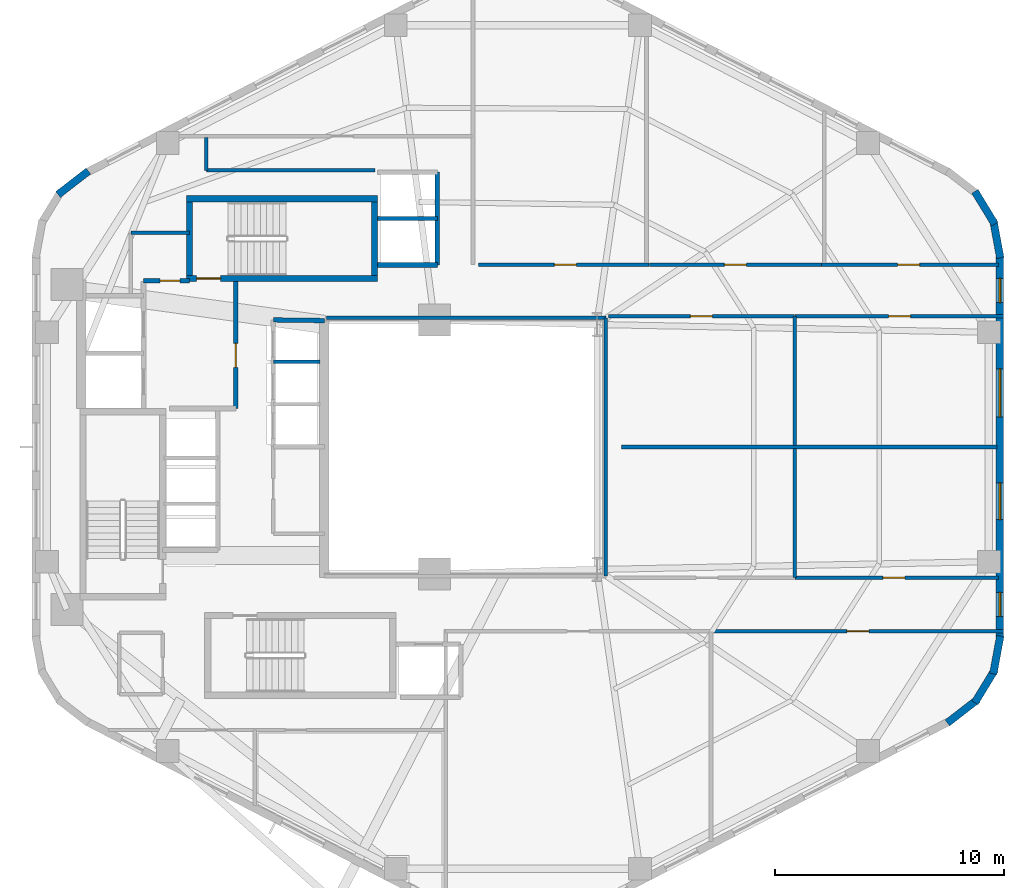
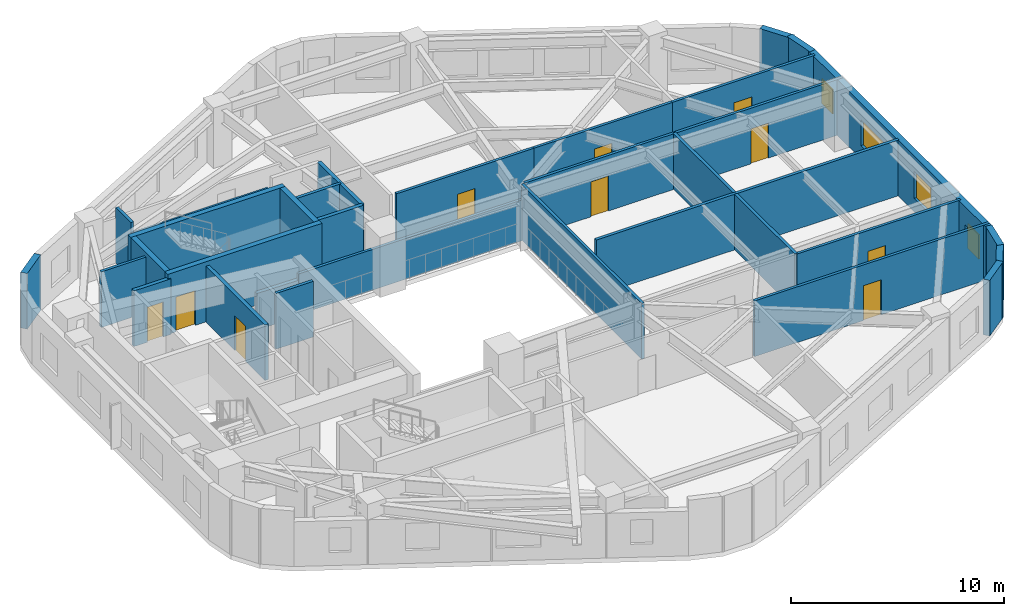
# One storey, part 4 of 6: 33 walls, 10 doors, 4 windows, 14 openings.
"""IFC4 building model written with IfcOpenShell, lengths in metres."""

import ifcopenshell
import ifcopenshell.guid

model = None  # the IFC model being written
_history = None  # IfcOwnerHistory: only IFC2X3 demands one
_inside = {}  # id of a spatial element -> (the spatial element, [elements in it])
_under = {}  # id of a project, library or spatial element -> (it, [spatial elements below it])
_declared = {}  # id of a project -> (the project, [libraries it declares])
_typed = {}  # id of a type object -> (the type object, [elements of that type])
_made_of = {}  # id of a material, layer set ... -> (it, [elements and type objects made of it])


def new_model(schema):
    """Start an empty IFC model of exactly this schema.

    Asked for "IFC4X3", IfcOpenShell would pick the latest addendum, in which some entities
    have other attributes; the version numbers below select the first issue.
    IFC2X3 requires an IfcOwnerHistory on every rooted entity: one is made here for all.
    """
    global model, _history
    if schema == "IFC4X3":
        model = ifcopenshell.file(schema_version=(4, 3, 0, 0))
    else:
        model = ifcopenshell.file(schema=schema)
    _inside.clear()
    _under.clear()
    _declared.clear()
    _typed.clear()
    _made_of.clear()
    _history = None
    if model.schema == "IFC2X3":
        org = make("IfcOrganization", Name="unknown")
        user = make(
            "IfcPersonAndOrganization",
            ThePerson=make("IfcPerson", FamilyName="unknown"),
            TheOrganization=org,
        )
        app = make(
            "IfcApplication",
            ApplicationDeveloper=org,
            Version="unknown",
            ApplicationFullName="unknown",
            ApplicationIdentifier="unknown",
        )
        _history = make(
            "IfcOwnerHistory",
            OwningUser=user,
            OwningApplication=app,
            ChangeAction="ADDED",
            CreationDate=0,
        )
    return model


def make(cls, **values):
    """One entity of the class cls with the attributes given. An attribute that is None is left unset."""
    return model.create_entity(
        cls, **{name: value for name, value in values.items() if value is not None}
    )


def rooted(cls, **values):
    """An entity with a GlobalId (a new one), such as an element, a storey or a relation."""
    return make(cls, GlobalId=ifcopenshell.guid.new(), OwnerHistory=_history, **values)


def si_unit(unit_type, name, prefix=None):
    """IfcSIUnit, for example si_unit("LENGTHUNIT", "METRE", prefix="MILLI")."""
    return make("IfcSIUnit", UnitType=unit_type, Prefix=prefix, Name=name)


def assignment(units):
    """IfcUnitAssignment: the units of a project."""
    return None if units is None else make("IfcUnitAssignment", Units=units)


def point(xyz):
    """IfcCartesianPoint."""
    return None if xyz is None else make("IfcCartesianPoint", Coordinates=xyz)


def direction(xyz):
    """IfcDirection."""
    return None if xyz is None else make("IfcDirection", DirectionRatios=xyz)


def frame(location, z_axis=None, x_axis=None):
    """IfcAxis2Placement3D, a coordinate frame: its origin and axes. An axis left out is left unset."""
    return make(
        "IfcAxis2Placement3D",
        Location=point(location),
        Axis=direction(z_axis),
        RefDirection=direction(x_axis),
    )


def frame_2d(location, x_axis=None):
    """IfcAxis2Placement2D, a coordinate frame in the plane: its origin and x axis."""
    return make(
        "IfcAxis2Placement2D", Location=point(location), RefDirection=direction(x_axis)
    )


def origin():
    """The frame at (0, 0, 0) with its axes left unset."""
    return frame((0.0, 0.0, 0.0))


def place(relative_to, where):
    """IfcLocalPlacement: puts the frame where relative to a parent placement (None: the world)."""
    return make(
        "IfcLocalPlacement", PlacementRelTo=relative_to, RelativePlacement=where
    )


def context(
    kind, dimensions, precision=None, world=None, true_north=None, identifier=None
):
    """IfcGeometricRepresentationContext, for example the 3D "Model" context."""
    return make(
        "IfcGeometricRepresentationContext",
        ContextIdentifier=identifier,
        ContextType=kind,
        CoordinateSpaceDimension=dimensions,
        Precision=precision,
        WorldCoordinateSystem=world,
        TrueNorth=true_north,
    )


def subcontext(parent, identifier, kind, view, scale=None):
    """IfcGeometricRepresentationSubContext, for example "Body" below "Model"."""
    return make(
        "IfcGeometricRepresentationSubContext",
        ContextIdentifier=identifier,
        ContextType=kind,
        ParentContext=parent,
        TargetScale=scale,
        TargetView=view,
    )


def project(units=None, contexts=None):
    """IfcProject with its units and contexts."""
    return rooted(
        "IfcProject",
        Name="project",
        RepresentationContexts=contexts,
        UnitsInContext=assignment(units),
    )


def spatial(cls, under=None, at=None, **own):
    """A site, building, storey or space (cls), placed at a placement, below another one or the project."""
    s = rooted(cls, ObjectPlacement=at, **own)
    if under is not None:
        _under.setdefault(under.id(), (under, []))[1].append(s)
    return s


def profile(cls, at=None, kind="AREA", **sizes):
    """A parametric profile (cls). Its sizes go by their IFC names, for example OverallWidth=200.0."""
    return make(cls, ProfileType=kind, Position=at, **sizes)


def rectangle(**sizes):
    """IfcRectangleProfileDef."""
    return profile("IfcRectangleProfileDef", **sizes)


def extrude(swept, where, along, depth):
    """IfcExtrudedAreaSolid: the profile swept, set in the frame where, extruded along a direction by depth."""
    return make(
        "IfcExtrudedAreaSolid",
        SweptArea=swept,
        Position=where,
        ExtrudedDirection=direction(along),
        Depth=depth,
    )


def shape(context_of_items, identifier, shape_type, items):
    """IfcShapeRepresentation: the items that make up one representation, for example the "Body"."""
    return make(
        "IfcShapeRepresentation",
        ContextOfItems=context_of_items,
        RepresentationIdentifier=identifier,
        RepresentationType=shape_type,
        Items=items,
    )


def material(Name=None, Category=None):
    """IfcMaterial."""
    return make("IfcMaterial", Name=Name, Category=Category)


def layer(
    of_material, thickness, ventilated=None, Name=None, Category=None, Priority=None
):
    """IfcMaterialLayer: one layer of a wall or slab, of a material (None: an air gap)."""
    return make(
        "IfcMaterialLayer",
        Material=of_material,
        LayerThickness=thickness,
        IsVentilated=ventilated,
        Name=Name,
        Category=Category,
        Priority=Priority,
    )


def layer_set(layers, Name=None):
    """IfcMaterialLayerSet."""
    return make("IfcMaterialLayerSet", MaterialLayers=layers, LayerSetName=Name)


def made_of(thing, what):
    """Note that an element or type object is made of a material, layer set ...; save() writes the relation."""
    if what is not None:
        _made_of.setdefault(what.id(), (what, []))[1].append(thing)
    return thing


def type_object(cls, material=None, **own):
    """A type object (cls), such as IfcWallType, which elements share."""
    return made_of(rooted(cls, **own), material)


def element(
    cls,
    number,
    at=None,
    inside=None,
    cuts=None,
    type_object=None,
    material=None,
    context=None,
    identifier="Body",
    shape_type=None,
    held_by="IfcProductDefinitionShape",
    body=None,
    shapes=None,
    **own,
):
    """One element of the class cls, such as IfcWall. Its Tag is "e" and its number.

    at: its placement. inside: the storey or other place that contains it. cuts: it is an
    opening in that element (IfcRelVoidsElement). A single representation is given by context,
    identifier, shape_type and body (its items); several are given by shapes. held_by: the class
    of the entity that holds the representations. save() writes the other relations.
    """
    e = rooted(cls, Tag="e%d" % number, ObjectPlacement=at, **own)
    if body is not None:
        shapes = [shape(context, identifier, shape_type, body)]
    if shapes is not None:
        e.Representation = make(held_by, Representations=shapes)
    if inside is not None:
        _inside.setdefault(inside.id(), (inside, []))[1].append(e)
    if cuts is not None:
        rooted(
            "IfcRelVoidsElement", RelatingBuildingElement=cuts, RelatedOpeningElement=e
        )
    if type_object is not None:
        _typed.setdefault(type_object.id(), (type_object, []))[1].append(e)
    return made_of(e, material)


def fill(opening, filler):
    """IfcRelFillsElement: the door or window that sits in an opening."""
    return rooted(
        "IfcRelFillsElement",
        RelatingOpeningElement=opening,
        RelatedBuildingElement=filler,
    )


def aggregate(whole, parts):
    """IfcRelAggregates: a whole, such as a stair, and the parts it consists of."""
    return rooted("IfcRelAggregates", RelatingObject=whole, RelatedObjects=parts)


def save(model, path):
    """Write the relations noted so far, then the file.

    IfcRelAggregates (storeys below a building ...), IfcRelContainedInSpatialStructure (elements
    in a storey), IfcRelDefinesByType, IfcRelAssociatesMaterial and IfcRelDeclares: one each for
    every whole, place, type object, material and project.
    """
    for whole, parts in _under.values():
        aggregate(whole, parts)
    for where, things in _inside.values():
        rooted(
            "IfcRelContainedInSpatialStructure",
            RelatedElements=things,
            RelatingStructure=where,
        )
    for kind, things in _typed.values():
        rooted("IfcRelDefinesByType", RelatedObjects=things, RelatingType=kind)
    for what, things in _made_of.values():
        rooted("IfcRelAssociatesMaterial", RelatedObjects=things, RelatingMaterial=what)
    for by, libraries in _declared.values():
        rooted("IfcRelDeclares", RelatingContext=by, RelatedDefinitions=libraries)
    model.write(path)


model = new_model("IFC4")

# Units and contexts
model_context = context("Model", 3, precision=1e-05, world=origin(), true_north=direction((0.0, 1.0)))
body_context = subcontext(model_context, "Body", "Model", "MODEL_VIEW")
ifc_project = project(units=[si_unit("LENGTHUNIT", "METRE"), si_unit("AREAUNIT", "SQUARE_METRE"), si_unit("VOLUMEUNIT", "CUBIC_METRE"), si_unit("PLANEANGLEUNIT", "RADIAN"), si_unit("MASSUNIT", "GRAM", prefix="KILO"), si_unit("THERMODYNAMICTEMPERATUREUNIT", "KELVIN"), si_unit("POWERUNIT", "WATT")], contexts=[model_context])

# Site, building, storey
site_placement = place(None, origin())
site = spatial("IfcSite", under=ifc_project, at=site_placement, CompositionType="ELEMENT")
building_placement = place(site_placement, origin())
building = spatial("IfcBuilding", under=site, at=building_placement, Name="Skarre Station Tower", CompositionType="ELEMENT")
storey_placement = place(building_placement, frame((0.0, 0.0, 156.75)))
storey = spatial("IfcBuildingStorey", under=building, at=storey_placement, Name="L42", CompositionType="ELEMENT", Elevation=156.75)

# Walls
ifc_material_1 = material(Name="Acoustic Steel-Stud Gypsum Partition", Category="steel")
ifc_layer_1 = layer(ifc_material_1, 0.14990234375, Name="Acoustic Steel-Stud Gypsum Partition")
ifc_layer_set_1 = layer_set([ifc_layer_1], Name="Acoustic Steel-Stud Gypsum Partition")
wall_type_1 = type_object("IfcWallType", Name="Fire-Rated Corridor Acoustic Partition 150", PredefinedType="PARTITIONING", material=ifc_layer_set_1)
wall_1_placement = place(storey_placement, frame((21.659912109375, 33.35009765625, 0.0), z_axis=(0.0, 0.0, 1.0), x_axis=(-1.0, 0.0, 0.0)))
element("IfcWall", 1, at=wall_1_placement, inside=storey, type_object=wall_type_1, Name="L42 Interior Partition WL-PT-L42-CNW-N1", PredefinedType="PARTITIONING", context=body_context, shape_type="SweptSolid", body=[
    extrude(rectangle(XDim=2.559814453125, YDim=0.14990234375, at=frame_2d((1.27978515625, 0.0))), origin(), (0.0, 0.0, 1.0), 3.18994140625),
])
wall_2_placement = place(storey_placement, frame((39.840087890625, 29.639892578125, 0.0), z_axis=(0.0, 0.0, 1.0), x_axis=(-1.0, 0.0, 0.0)))
element("IfcWall", 2, at=wall_2_placement, inside=storey, type_object=wall_type_1, Name="L42 Interior Partition WL-PT-L42-ATRW-N", PredefinedType="PARTITIONING", context=body_context, shape_type="SweptSolid", body=[
    extrude(rectangle(XDim=12.2001953125, YDim=0.14990234375, at=frame_2d((6.10009765625, 0.0))), origin(), (0.0, 0.0, 1.0), 2.3310546875),
])
wall_3_placement = place(storey_placement, frame((39.840087890625, 18.360107421875, 0.0), z_axis=(0.0, 0.0, 1.0), x_axis=(0.0, 1.0, 0.0)))
element("IfcWall", 3, at=wall_3_placement, inside=storey, type_object=wall_type_1, Name="L42 Interior Partition WL-PT-L42-ATRW-E", PredefinedType="PARTITIONING", context=body_context, shape_type="SweptSolid", body=[
    extrude(rectangle(XDim=11.27978515625, YDim=0.14990234375, at=frame_2d((5.639892578125, 0.0))), origin(), (0.0, 0.0, 1.0), 3.18994140625),
])

# Wall, opening, door
wall_4_placement = place(storey_placement, frame((41.737060546875, 31.9599609375, 0.0), z_axis=(0.0, 0.0, 1.0), x_axis=(-1.0, 0.0, 0.0)))
wall_4 = element("IfcWall", 4, at=wall_4_placement, inside=storey, type_object=wall_type_1, Name="L42 Interior Partition WL-PT-L42-NW1-CW", PredefinedType="PARTITIONING", context=body_context, shape_type="SweptSolid", body=[
    extrude(rectangle(XDim=7.447021484375, YDim=0.14990234375, at=frame_2d((3.7236328125, 0.0))), origin(), (0.0, 0.0, 1.0), 3.18994140625),
])
opening_1_placement = place(wall_4_placement, frame((3.18701171875, 0.0, 0.0)))
opening_1 = element("IfcOpeningElement", 5, at=opening_1_placement, cuts=wall_4, Name="Opening DR-FD60", PredefinedType="OPENING", context=body_context, shape_type="SweptSolid", body=[
    extrude(rectangle(XDim=0.9599609375, YDim=2.0, at=frame_2d((0.47998046875, 1.0))), frame((0.0, 0.0849609375, 0.0), z_axis=(0.0, -1.0, 0.0), x_axis=(1.0, 0.0, 0.0)), (0.0, 0.0, 1.0), 0.169921875),
])
ifc_material_2 = material(Name="Nordic White-Oak Veneer Solid-Core Fire Leaf", Category="wood")
door_type_1 = type_object("IfcDoorType", Name="Corridor Suite Entry Fire Door FD60 960x2150", OperationType="SINGLE_SWING_LEFT", PredefinedType="DOOR", material=ifc_material_2)
door_1_placement = place(opening_1_placement, origin())
door_1 = element("IfcDoor", 6, at=door_1_placement, inside=storey, type_object=door_type_1, Name="L42 NW1 Entry Door", OperationType="SINGLE_SWING_LEFT", OverallHeight=2.0, OverallWidth=0.9599609375, PredefinedType="DOOR", context=body_context, shape_type="SweptSolid", body=[
    extrude(rectangle(XDim=0.9599609375, YDim=2.0, at=frame_2d((0.47998046875, 1.0))), frame((0.0, 0.02490234375, 0.0), z_axis=(0.0, -1.0, 0.0), x_axis=(1.0, 0.0, 0.0)), (0.0, 0.0, 1.0), 0.050048828125),
])
fill(opening_1, door_1)

wall_5_placement = place(storey_placement, frame((49.2509765625, 31.9599609375, 0.0), z_axis=(0.0, 0.0, 1.0), x_axis=(-1.0, 0.0, 0.0)))
wall_5 = element("IfcWall", 7, at=wall_5_placement, inside=storey, type_object=wall_type_1, Name="L42 Interior Partition WL-PT-L42-NW2-CW", PredefinedType="PARTITIONING", context=body_context, shape_type="SweptSolid", body=[
    extrude(rectangle(XDim=7.50390625, YDim=0.14990234375, at=frame_2d((3.751953125, 0.0))), origin(), (0.0, 0.0, 1.0), 3.18994140625),
])
opening_2_placement = place(wall_5_placement, frame((3.27197265625, 0.0, 0.0)))
opening_2 = element("IfcOpeningElement", 8, at=opening_2_placement, cuts=wall_5, Name="Opening DR-FD60", PredefinedType="OPENING", context=body_context, shape_type="SweptSolid", body=[
    extrude(rectangle(XDim=0.9599609375, YDim=2.0, at=frame_2d((0.47998046875, 1.0))), frame((0.0, 0.0849609375, 0.0), z_axis=(0.0, -1.0, 0.0), x_axis=(1.0, 0.0, 0.0)), (0.0, 0.0, 1.0), 0.169921875),
])
door_2_placement = place(opening_2_placement, origin())
door_2 = element("IfcDoor", 9, at=door_2_placement, inside=storey, type_object=door_type_1, Name="L42 NW2 Entry Door", OperationType="SINGLE_SWING_LEFT", OverallHeight=2.0, OverallWidth=0.9599609375, PredefinedType="DOOR", context=body_context, shape_type="SweptSolid", body=[
    extrude(rectangle(XDim=0.9599609375, YDim=2.0, at=frame_2d((0.47998046875, 1.0))), frame((0.0, 0.02490234375, 0.0), z_axis=(0.0, -1.0, 0.0), x_axis=(1.0, 0.0, 0.0)), (0.0, 0.0, 1.0), 0.050048828125),
])
fill(opening_2, door_2)

wall_6_placement = place(storey_placement, frame((56.987060546875, 31.9599609375, 0.0), z_axis=(0.0, 0.0, 1.0), x_axis=(-1.0, 0.0, 0.0)))
wall_6 = element("IfcWall", 10, at=wall_6_placement, inside=storey, type_object=wall_type_1, Name="L42 Interior Partition WL-PT-L42-NW3-CW", PredefinedType="PARTITIONING", context=body_context, shape_type="SweptSolid", body=[
    extrude(rectangle(XDim=7.72607421875, YDim=0.14990234375, at=frame_2d((3.863037109375, 0.0))), origin(), (0.0, 0.0, 1.0), 3.18994140625),
])
opening_3_placement = place(wall_6_placement, frame((3.43994140625, 0.0, 0.0)))
opening_3 = element("IfcOpeningElement", 11, at=opening_3_placement, cuts=wall_6, Name="Opening DR-FD60", PredefinedType="OPENING", context=body_context, shape_type="SweptSolid", body=[
    extrude(rectangle(XDim=0.9599609375, YDim=2.0, at=frame_2d((0.47998046875, 1.0))), frame((0.0, 0.0849609375, 0.0), z_axis=(0.0, -1.0, 0.0), x_axis=(1.0, 0.0, 0.0)), (0.0, 0.0, 1.0), 0.169921875),
])
door_3_placement = place(opening_3_placement, origin())
door_3 = element("IfcDoor", 12, at=door_3_placement, inside=storey, type_object=door_type_1, Name="L42 NW3 Entry Door", OperationType="SINGLE_SWING_LEFT", OverallHeight=2.0, OverallWidth=0.9599609375, PredefinedType="DOOR", context=body_context, shape_type="SweptSolid", body=[
    extrude(rectangle(XDim=0.9599609375, YDim=2.0, at=frame_2d((0.47998046875, 1.0))), frame((0.0, 0.02490234375, 0.0), z_axis=(0.0, -1.0, 0.0), x_axis=(1.0, 0.0, 0.0)), (0.0, 0.0, 1.0), 0.050048828125),
])
fill(opening_3, door_3)

wall_7_placement = place(storey_placement, frame((39.949951171875, 29.7099609375, 0.0), z_axis=(0.0, 0.0, 1.0), x_axis=(1.0, 0.0, 0.0)))
wall_7 = element("IfcWall", 13, at=wall_7_placement, inside=storey, type_object=wall_type_1, Name="L42 Interior Partition WL-PT-L42-EWN1-CW", PredefinedType="PARTITIONING", context=body_context, shape_type="SweptSolid", body=[
    extrude(rectangle(XDim=8.130126953125, YDim=0.14990234375, at=frame_2d((4.06494140625, 0.0))), origin(), (0.0, 0.0, 1.0), 3.18994140625),
])
opening_4_placement = place(wall_7_placement, frame((3.5849609375, 0.0, 0.0)))
opening_4 = element("IfcOpeningElement", 14, at=opening_4_placement, cuts=wall_7, Name="Opening DR-FD60", PredefinedType="OPENING", context=body_context, shape_type="SweptSolid", body=[
    extrude(rectangle(XDim=0.9599609375, YDim=2.0, at=frame_2d((0.47998046875, 1.0))), frame((0.0, 0.0849609375, 0.0), z_axis=(0.0, -1.0, 0.0), x_axis=(1.0, 0.0, 0.0)), (0.0, 0.0, 1.0), 0.169921875),
])
door_4_placement = place(opening_4_placement, origin())
door_4 = element("IfcDoor", 15, at=door_4_placement, inside=storey, type_object=door_type_1, Name="L42 EWN1 Entry Door", OperationType="SINGLE_SWING_LEFT", OverallHeight=2.0, OverallWidth=0.9599609375, PredefinedType="DOOR", context=body_context, shape_type="SweptSolid", body=[
    extrude(rectangle(XDim=0.9599609375, YDim=2.0, at=frame_2d((0.47998046875, 1.0))), frame((0.0, 0.02490234375, 0.0), z_axis=(0.0, -1.0, 0.0), x_axis=(1.0, 0.0, 0.0)), (0.0, 0.0, 1.0), 0.050048828125),
])
fill(opening_4, door_4)

wall_8_placement = place(storey_placement, frame((48.110107421875, 29.7099609375, 0.0), z_axis=(0.0, 0.0, 1.0), x_axis=(1.0, 0.0, 0.0)))
wall_8 = element("IfcWall", 16, at=wall_8_placement, inside=storey, type_object=wall_type_1, Name="L42 Interior Partition WL-PT-L42-EWN2-CW", PredefinedType="PARTITIONING", context=body_context, shape_type="SweptSolid", body=[
    extrude(rectangle(XDim=9.097900390625, YDim=0.14990234375, at=frame_2d((4.548828125, 0.0))), origin(), (0.0, 0.0, 1.0), 3.18994140625),
])
opening_5_placement = place(wall_8_placement, frame((4.083984375, 0.0, 0.0)))
opening_5 = element("IfcOpeningElement", 17, at=opening_5_placement, cuts=wall_8, Name="Opening DR-FD60", PredefinedType="OPENING", context=body_context, shape_type="SweptSolid", body=[
    extrude(rectangle(XDim=0.9599609375, YDim=2.0, at=frame_2d((0.47998046875, 1.0))), frame((0.0, 0.0849609375, 0.0), z_axis=(0.0, -1.0, 0.0), x_axis=(1.0, 0.0, 0.0)), (0.0, 0.0, 1.0), 0.169921875),
])
door_5_placement = place(opening_5_placement, origin())
door_5 = element("IfcDoor", 18, at=door_5_placement, inside=storey, type_object=door_type_1, Name="L42 EWN2 Entry Door", OperationType="SINGLE_SWING_LEFT", OverallHeight=2.0, OverallWidth=0.9599609375, PredefinedType="DOOR", context=body_context, shape_type="SweptSolid", body=[
    extrude(rectangle(XDim=0.9599609375, YDim=2.0, at=frame_2d((0.47998046875, 1.0))), frame((0.0, 0.02490234375, 0.0), z_axis=(0.0, -1.0, 0.0), x_axis=(1.0, 0.0, 0.0)), (0.0, 0.0, 1.0), 0.050048828125),
])
fill(opening_5, door_5)

wall_9_placement = place(storey_placement, frame((56.988037109375, 18.2900390625, 0.0), z_axis=(0.0, 0.0, 1.0), x_axis=(-1.0, 0.0, 0.0)))
wall_9 = element("IfcWall", 19, at=wall_9_placement, inside=storey, type_object=wall_type_1, Name="L42 Interior Partition WL-PT-L42-EWS2-CW", PredefinedType="PARTITIONING", context=body_context, shape_type="SweptSolid", body=[
    extrude(rectangle(XDim=8.887939453125, YDim=0.14990234375, at=frame_2d((4.44384765625, 0.0))), origin(), (0.0, 0.0, 1.0), 3.18994140625),
])
opening_6_placement = place(wall_9_placement, frame((4.083984375, 0.0, 0.0)))
opening_6 = element("IfcOpeningElement", 20, at=opening_6_placement, cuts=wall_9, Name="Opening DR-FD60", PredefinedType="OPENING", context=body_context, shape_type="SweptSolid", body=[
    extrude(rectangle(XDim=0.9599609375, YDim=2.0, at=frame_2d((0.47998046875, 1.0))), frame((0.0, 0.0849609375, 0.0), z_axis=(0.0, -1.0, 0.0), x_axis=(1.0, 0.0, 0.0)), (0.0, 0.0, 1.0), 0.169921875),
])
door_6_placement = place(opening_6_placement, origin())
door_6 = element("IfcDoor", 21, at=door_6_placement, inside=storey, type_object=door_type_1, Name="L42 EWS2 Entry Door", OperationType="SINGLE_SWING_LEFT", OverallHeight=2.0, OverallWidth=0.9599609375, PredefinedType="DOOR", context=body_context, shape_type="SweptSolid", body=[
    extrude(rectangle(XDim=0.9599609375, YDim=2.0, at=frame_2d((0.47998046875, 1.0))), frame((0.0, 0.02490234375, 0.0), z_axis=(0.0, -1.0, 0.0), x_axis=(1.0, 0.0, 0.0)), (0.0, 0.0, 1.0), 0.050048828125),
])
fill(opening_6, door_6)

wall_10_placement = place(storey_placement, frame((44.45703125, 15.9599609375, 0.0), z_axis=(0.0, 0.0, 1.0), x_axis=(1.0, 0.0, 0.0)))
wall_10 = element("IfcWall", 22, at=wall_10_placement, inside=storey, type_object=wall_type_1, Name="L42 Interior Partition WL-PT-L42-SW2-CW", PredefinedType="PARTITIONING", context=body_context, shape_type="SweptSolid", body=[
    extrude(rectangle(XDim=12.7509765625, YDim=0.14990234375, at=frame_2d((6.37548828125, 0.0))), origin(), (0.0, 0.0, 1.0), 3.18994140625),
])
opening_7_placement = place(wall_10_placement, frame((5.908935546875, 0.0, 0.0)))
opening_7 = element("IfcOpeningElement", 23, at=opening_7_placement, cuts=wall_10, Name="Opening DR-FD60", PredefinedType="OPENING", context=body_context, shape_type="SweptSolid", body=[
    extrude(rectangle(XDim=0.9599609375, YDim=2.0, at=frame_2d((0.47998046875, 1.0))), frame((0.0, 0.0849609375, 0.0), z_axis=(0.0, -1.0, 0.0), x_axis=(1.0, 0.0, 0.0)), (0.0, 0.0, 1.0), 0.169921875),
])
door_7_placement = place(opening_7_placement, origin())
door_7 = element("IfcDoor", 24, at=door_7_placement, inside=storey, type_object=door_type_1, Name="L42 SW2 Entry Door", OperationType="SINGLE_SWING_LEFT", OverallHeight=2.0, OverallWidth=0.9599609375, PredefinedType="DOOR", context=body_context, shape_type="SweptSolid", body=[
    extrude(rectangle(XDim=0.9599609375, YDim=2.0, at=frame_2d((0.47998046875, 1.0))), frame((0.0, 0.02490234375, 0.0), z_axis=(0.0, -1.0, 0.0), x_axis=(1.0, 0.0, 0.0)), (0.0, 0.0, 1.0), 0.050048828125),
])
fill(opening_7, door_7)

# Walls
wall_11_placement = place(storey_placement, frame((29.7529296875, 36.080078125, 0.0), z_axis=(0.0, 0.0, 1.0), x_axis=(-1.0, 0.0, 0.0)))
element("IfcWall", 25, at=wall_11_placement, inside=storey, type_object=wall_type_1, Name="L42 Interior Partition WL-PT-L42-CSEAL-1", PredefinedType="PARTITIONING", context=body_context, shape_type="SweptSolid", body=[
    extrude(rectangle(XDim=7.35302734375, YDim=0.14990234375, at=frame_2d((3.676513671875, 0.0))), origin(), (0.0, 0.0, 1.0), 2.58203125),
])
wall_12_placement = place(storey_placement, frame((22.39990234375, 36.080078125, 0.0), z_axis=(0.0, 0.0, 1.0), x_axis=(0.0, 1.0, 0.0)))
element("IfcWall", 26, at=wall_12_placement, inside=storey, type_object=wall_type_1, Name="L42 Interior Partition WL-PT-L42-CSEAL-2", PredefinedType="PARTITIONING", context=body_context, shape_type="SweptSolid", body=[
    extrude(rectangle(XDim=1.429931640625, YDim=0.14990234375, at=frame_2d((0.71484375, 0.0))), origin(), (0.0, 0.0, 1.0), 3.18994140625),
])

# Wall, openings, windows
ifc_material_3 = material(Name="Precast concrete C45/55", Category="concrete")
ifc_layer_2 = layer(ifc_material_3, 0.340087890625, Name="Precast concrete C45/55")
ifc_layer_set_2 = layer_set([ifc_layer_2], Name="Precast concrete C45/55")
wall_type_2 = type_object("IfcWallType", Name="Nordic Honed Precast Facet Wall 340", PredefinedType="STANDARD", material=ifc_layer_set_2)
wall_13_placement = place(storey_placement, frame((57.048095703125, 32.35205078125, 0.0), z_axis=(0.0, 0.0, 1.0), x_axis=(0.0, -1.0, 0.0)))
wall_13 = element("IfcWall", 27, at=wall_13_placement, inside=storey, type_object=wall_type_2, Name="L42 Facet 5 Nordic Precast Masonry Wall", PredefinedType="STANDARD", context=body_context, shape_type="SweptSolid", body=[
    extrude(rectangle(XDim=16.7041015625, YDim=0.340087890625, at=frame_2d((8.35205078125, 0.0))), origin(), (0.0, 0.0, 1.0), 3.18994140625),
])
opening_8_placement = place(wall_13_placement, frame((0.991943359375, 0.0, 0.75)))
opening_8 = element("IfcOpeningElement", 28, at=opening_8_placement, cuts=wall_13, Name="Opening WN-SLT", PredefinedType="OPENING", context=body_context, shape_type="SweptSolid", body=[
    extrude(rectangle(XDim=1.050048828125, YDim=1.39990234375, at=frame_2d((0.52490234375, 0.699951171875))), frame((0.0, 0.179931640625, 0.0), z_axis=(0.0, -1.0, 0.0), x_axis=(1.0, 0.0, 0.0)), (0.0, 0.0, 1.0), 0.360107421875),
])
opening_9_placement = place(wall_13_placement, frame((4.93505859375, 0.0, 0.75)))
opening_9 = element("IfcOpeningElement", 29, at=opening_9_placement, cuts=wall_13, Name="Opening WN-Z2B", PredefinedType="OPENING", context=body_context, shape_type="SweptSolid", body=[
    extrude(rectangle(XDim=2.10009765625, YDim=1.5, at=frame_2d((1.050048828125, 0.75))), frame((0.0, 0.179931640625, 0.0), z_axis=(0.0, -1.0, 0.0), x_axis=(1.0, 0.0, 0.0)), (0.0, 0.0, 1.0), 0.360107421875),
])
opening_10_placement = place(wall_13_placement, frame((9.9189453125, 0.0, 0.75)))
opening_10 = element("IfcOpeningElement", 30, at=opening_10_placement, cuts=wall_13, Name="Opening WN-Z2A", PredefinedType="OPENING", context=body_context, shape_type="SweptSolid", body=[
    extrude(rectangle(XDim=1.60009765625, YDim=1.550048828125, at=frame_2d((0.800048828125, 0.77490234375))), frame((0.0, 0.179931640625, 0.0), z_axis=(0.0, -1.0, 0.0), x_axis=(1.0, 0.0, 0.0)), (0.0, 0.0, 1.0), 0.360107421875),
])
opening_11_placement = place(wall_13_placement, frame((14.701904296875, 0.0, 0.75)))
opening_11 = element("IfcOpeningElement", 31, at=opening_11_placement, cuts=wall_13, Name="Opening WN-SLT", PredefinedType="OPENING", context=body_context, shape_type="SweptSolid", body=[
    extrude(rectangle(XDim=1.050048828125, YDim=1.39990234375, at=frame_2d((0.52490234375, 0.699951171875))), frame((0.0, 0.179931640625, 0.0), z_axis=(0.0, -1.0, 0.0), x_axis=(1.0, 0.0, 0.0)), (0.0, 0.0, 1.0), 0.360107421875),
])
ifc_material_4 = material(Name="Low-Iron Triple Glazing with Bronze Anodized Frame", Category="glass")
window_type_1 = type_object("IfcWindowType", Name="Nordic Corner Slot Window 1050x1400", PartitioningType="SINGLE_PANEL", PredefinedType="WINDOW", material=ifc_material_4)
window_1_placement = place(opening_8_placement, origin())
window_1 = element("IfcWindow", 32, at=window_1_placement, inside=storey, type_object=window_type_1, Name="L42 Facade Window WL-FAC-L42-F5-1", OverallHeight=1.39990234375, OverallWidth=1.050048828125, PartitioningType="SINGLE_PANEL", PredefinedType="WINDOW", context=body_context, shape_type="SweptSolid", body=[
    extrude(rectangle(XDim=1.050048828125, YDim=1.39990234375, at=frame_2d((0.52490234375, 0.699951171875))), frame((0.0, 0.030029296875, 0.0), z_axis=(0.0, -1.0, 0.0), x_axis=(1.0, 0.0, 0.0)), (0.0, 0.0, 1.0), 0.06005859375),
])
fill(opening_8, window_1)
window_2_placement = place(opening_11_placement, origin())
window_2 = element("IfcWindow", 33, at=window_2_placement, inside=storey, type_object=window_type_1, Name="L42 Facade Window WL-FAC-L42-F5-4", OverallHeight=1.39990234375, OverallWidth=1.050048828125, PartitioningType="SINGLE_PANEL", PredefinedType="WINDOW", context=body_context, shape_type="SweptSolid", body=[
    extrude(rectangle(XDim=1.050048828125, YDim=1.39990234375, at=frame_2d((0.52490234375, 0.699951171875))), frame((0.0, 0.030029296875, 0.0), z_axis=(0.0, -1.0, 0.0), x_axis=(1.0, 0.0, 0.0)), (0.0, 0.0, 1.0), 0.06005859375),
])
fill(opening_11, window_2)
window_type_2 = type_object("IfcWindowType", Name="Nordic Residential Tall Window 1600x1550", PartitioningType="SINGLE_PANEL", PredefinedType="WINDOW", material=ifc_material_4)
window_3_placement = place(opening_10_placement, origin())
window_3 = element("IfcWindow", 34, at=window_3_placement, inside=storey, type_object=window_type_2, Name="L42 Facade Window WL-FAC-L42-F5-3", OverallHeight=1.550048828125, OverallWidth=1.60009765625, PartitioningType="SINGLE_PANEL", PredefinedType="WINDOW", context=body_context, shape_type="SweptSolid", body=[
    extrude(rectangle(XDim=1.60009765625, YDim=1.550048828125, at=frame_2d((0.800048828125, 0.77490234375))), frame((0.0, 0.030029296875, 0.0), z_axis=(0.0, -1.0, 0.0), x_axis=(1.0, 0.0, 0.0)), (0.0, 0.0, 1.0), 0.06005859375),
])
fill(opening_10, window_3)
window_type_3 = type_object("IfcWindowType", Name="Nordic Residential Twin Window 2100x1500", PartitioningType="SINGLE_PANEL", PredefinedType="WINDOW", material=ifc_material_4)
window_4_placement = place(opening_9_placement, origin())
window_4 = element("IfcWindow", 35, at=window_4_placement, inside=storey, type_object=window_type_3, Name="L42 Facade Window WL-FAC-L42-F5-2", OverallHeight=1.5, OverallWidth=2.10009765625, PartitioningType="SINGLE_PANEL", PredefinedType="WINDOW", context=body_context, shape_type="SweptSolid", body=[
    extrude(rectangle(XDim=2.10009765625, YDim=1.5, at=frame_2d((1.050048828125, 0.75))), frame((0.0, 0.030029296875, 0.0), z_axis=(0.0, -1.0, 0.0), x_axis=(1.0, 0.0, 0.0)), (0.0, 0.0, 1.0), 0.06005859375),
])
fill(opening_9, window_4)

# Walls
ifc_layer_3 = layer(ifc_material_3, 0.330078125, Name="Precast concrete C45/55")
ifc_layer_set_3 = layer_set([ifc_layer_3], Name="Precast concrete C45/55")
wall_type_3 = type_object("IfcWallType", Name="Nordic Rounded Corner Precast Wall 330", PredefinedType="STANDARD", material=ifc_layer_set_3)
wall_14_placement = place(storey_placement, frame((55.95703125, 35.1640625, 0.0), z_axis=(0.0, 0.0, 1.0), x_axis=(0.520519429557, -0.853849824883, 0.0)))
element("IfcWall", 36, at=wall_14_placement, inside=storey, type_object=wall_type_3, Name="L42 Rounded Corner Precast Wall F0-2", PredefinedType="STANDARD", context=body_context, shape_type="SweptSolid", body=[
    extrude(rectangle(XDim=1.67724609375, YDim=0.330078125, at=frame_2d((0.838623046875, 0.0))), origin(), (0.0, 0.0, 1.0), 3.18994140625),
])
wall_15_placement = place(storey_placement, frame((56.762939453125, 33.906982421875, 0.0), z_axis=(0.0, 0.0, 1.0), x_axis=(0.181984991895, -0.983301308209, 0.0)))
element("IfcWall", 37, at=wall_15_placement, inside=storey, type_object=wall_type_3, Name="L42 Rounded Corner Precast Wall F0-3", PredefinedType="STANDARD", context=body_context, shape_type="SweptSolid", body=[
    extrude(rectangle(XDim=1.677001953125, YDim=0.330078125, at=frame_2d((0.83837890625, 0.0))), origin(), (0.0, 0.0, 1.0), 3.18994140625),
])
wall_16_placement = place(storey_placement, frame((15.91796875, 35.02392578125, 0.0), z_axis=(0.0, 0.0, 1.0), x_axis=(0.790621329885, 0.612305408053, 0.0)))
element("IfcWall", 38, at=wall_16_placement, inside=storey, type_object=wall_type_3, Name="L42 Rounded Corner Precast Wall F2-3", PredefinedType="STANDARD", context=body_context, shape_type="SweptSolid", body=[
    extrude(rectangle(XDim=1.67578125, YDim=0.330078125, at=frame_2d((0.837890625, 0.0))), origin(), (0.0, 0.0, 1.0), 3.18994140625),
])
wall_17_placement = place(storey_placement, frame((57.068115234375, 15.741943359375, 0.0), z_axis=(0.0, 0.0, 1.0), x_axis=(-0.181984991895, -0.983301308209, 0.0)))
element("IfcWall", 39, at=wall_17_placement, inside=storey, type_object=wall_type_3, Name="L42 Rounded Corner Precast Wall F5-1", PredefinedType="STANDARD", context=body_context, shape_type="SweptSolid", body=[
    extrude(rectangle(XDim=1.677001953125, YDim=0.330078125, at=frame_2d((0.83837890625, 0.0))), origin(), (0.0, 0.0, 1.0), 3.18994140625),
])
wall_18_placement = place(storey_placement, frame((56.830078125, 14.26806640625, 0.0), z_axis=(0.0, 0.0, 1.0), x_axis=(-0.520519429557, -0.853849824883, 0.0)))
element("IfcWall", 40, at=wall_18_placement, inside=storey, type_object=wall_type_3, Name="L42 Rounded Corner Precast Wall F5-2", PredefinedType="STANDARD", context=body_context, shape_type="SweptSolid", body=[
    extrude(rectangle(XDim=1.67724609375, YDim=0.330078125, at=frame_2d((0.838623046875, 0.0))), origin(), (0.0, 0.0, 1.0), 3.18994140625),
])
wall_19_placement = place(storey_placement, frame((56.08203125, 12.97607421875, 0.0), z_axis=(0.0, 0.0, 1.0), x_axis=(-0.790621329885, -0.612305408053, 0.0)))
element("IfcWall", 41, at=wall_19_placement, inside=storey, type_object=wall_type_3, Name="L42 Rounded Corner Precast Wall F5-3", PredefinedType="STANDARD", context=body_context, shape_type="SweptSolid", body=[
    extrude(rectangle(XDim=1.67578125, YDim=0.330078125, at=frame_2d((0.837890625, 0.0))), origin(), (0.0, 0.0, 1.0), 3.18994140625),
])

# Wall, opening, door
ifc_material_5 = material(Name="Concrete C50/60", Category="concrete")
ifc_layer_4 = layer(ifc_material_5, 0.280029296875, Name="Concrete C50/60")
ifc_layer_set_4 = layer_set([ifc_layer_4], Name="Concrete C50/60")
wall_type_4 = type_object("IfcWallType", Name="RC Core Shear Wall 280", PredefinedType="SHEAR", material=ifc_layer_set_4)
wall_20_placement = place(storey_placement, frame((21.52001953125, 31.360107421875, 0.0), z_axis=(0.0, 0.0, 1.0), x_axis=(1.0, 0.0, 0.0)))
wall_20 = element("IfcWall", 42, at=wall_20_placement, inside=storey, type_object=wall_type_4, Name="L42 Stair ST-3 South Shear Wall", PredefinedType="SHEAR", context=body_context, shape_type="SweptSolid", body=[
    extrude(rectangle(XDim=8.35986328125, YDim=0.280029296875, at=frame_2d((4.179931640625, 0.0))), origin(), (0.0, 0.0, 1.0), 3.449951171875),
])
opening_12_placement = place(wall_20_placement, frame((0.449951171875, 0.0, 0.0)))
opening_12 = element("IfcOpeningElement", 43, at=opening_12_placement, cuts=wall_20, Name="Opening DR-FD90", PredefinedType="OPENING", context=body_context, shape_type="SweptSolid", body=[
    extrude(rectangle(XDim=1.050048828125, YDim=2.0, at=frame_2d((0.52490234375, 1.0))), frame((0.0, 0.14990234375, 0.0), z_axis=(0.0, -1.0, 0.0), x_axis=(1.0, 0.0, 0.0)), (0.0, 0.0, 1.0), 0.300048828125),
])
ifc_material_6 = material(Name="Fire-Rated Insulated Steel Frame & Timber Core Leaf", Category="steel")
door_type_2 = type_object("IfcDoorType", Name="Stair & FSAE Lobby Fire Door FD90 1050x2150", OperationType="SINGLE_SWING_RIGHT", PredefinedType="DOOR", material=ifc_material_6)
door_8_placement = place(opening_12_placement, origin())
door_8 = element("IfcDoor", 44, at=door_8_placement, inside=storey, type_object=door_type_2, Name="L42 Stair ST-3 & FSAE Lobby Direct Exit Door", OperationType="SINGLE_SWING_LEFT", OverallHeight=2.0, OverallWidth=1.050048828125, PredefinedType="DOOR", context=body_context, shape_type="SweptSolid", body=[
    extrude(rectangle(XDim=1.050048828125, YDim=2.0, at=frame_2d((0.52490234375, 1.0))), frame((0.0, 0.02490234375, 0.0), z_axis=(0.0, -1.0, 0.0), x_axis=(1.0, 0.0, 0.0)), (0.0, 0.0, 1.0), 0.050048828125),
])
fill(opening_12, door_8)

# Walls
wall_21_placement = place(storey_placement, frame((29.8798828125, 34.840087890625, 0.0), z_axis=(0.0, 0.0, 1.0), x_axis=(-1.0, 0.0, 0.0)))
element("IfcWall", 45, at=wall_21_placement, inside=storey, type_object=wall_type_4, Name="L42 Stair ST-3 North Shear Wall", PredefinedType="SHEAR", context=body_context, shape_type="SweptSolid", body=[
    extrude(rectangle(XDim=8.35986328125, YDim=0.280029296875, at=frame_2d((4.179931640625, 0.0))), origin(), (0.0, 0.0, 1.0), 3.449951171875),
])
for number, where, z_axis, x_axis, name in (
    (46, (21.659912109375, 34.699951171875, 0.0), (0.0, 0.0, 1.0), (0.0, -1.0, 0.0), "L42 Stair ST-3 West Shear Wall"),
    (47, (29.739990234375, 31.5, 0.0), (0.0, 0.0, 1.0), (0.0, 1.0, 0.0), "L42 Stair ST-3 East Shear Wall"),
):
    element("IfcWall", number, at=place(storey_placement, frame(where, z_axis=z_axis, x_axis=x_axis)), inside=storey, type_object=wall_type_4, Name=name, PredefinedType="SHEAR", context=body_context, shape_type="SweptSolid", body=[
        extrude(rectangle(XDim=3.199951171875, YDim=0.280029296875, at=frame_2d((1.60009765625, 0.0))), origin(), (0.0, 0.0, 1.0), 3.449951171875),
    ])

# Wall, opening, door
ifc_material_7 = material(Name="Gypsum Concrete Shaft Assembly C30/37", Category="concrete")
ifc_layer_5 = layer(ifc_material_7, 0.199951171875, Name="Gypsum Concrete Shaft Assembly C30/37")
ifc_layer_set_5 = layer_set([ifc_layer_5], Name="Gypsum Concrete Shaft Assembly C30/37")
wall_type_5 = type_object("IfcWallType", Name="Shaft & Core Fire Partition 200", PredefinedType="PARTITIONING", material=ifc_layer_set_5)
wall_22_placement = place(storey_placement, frame((23.679931640625, 25.679931640625, 0.0), z_axis=(0.0, 0.0, 1.0), x_axis=(0.0, 1.0, 0.0)))
wall_22 = element("IfcWall", 48, at=wall_22_placement, inside=storey, type_object=wall_type_5, Name="L42 Interior Partition WL-PT-L42-FSAE-E", PredefinedType="PARTITIONING", context=body_context, shape_type="SweptSolid", body=[
    extrude(rectangle(XDim=5.5400390625, YDim=0.199951171875, at=frame_2d((2.77001953125, 0.0))), origin(), (0.0, 0.0, 1.0), 3.18994140625),
])
opening_13_placement = place(wall_22_placement, frame((1.800048828125, 0.0, 0.0)))
opening_13 = element("IfcOpeningElement", 49, at=opening_13_placement, cuts=wall_22, Name="Opening DR-FD90", PredefinedType="OPENING", context=body_context, shape_type="SweptSolid", body=[
    extrude(rectangle(XDim=1.050048828125, YDim=2.0, at=frame_2d((0.52490234375, 1.0))), frame((0.0, 0.10986328125, 0.0), z_axis=(0.0, -1.0, 0.0), x_axis=(1.0, 0.0, 0.0)), (0.0, 0.0, 1.0), 0.219970703125),
])
door_9_placement = place(opening_13_placement, origin())
door_9 = element("IfcDoor", 50, at=door_9_placement, inside=storey, type_object=door_type_2, Name="L42 FSAE Lobby Fire Door", OperationType="SINGLE_SWING_RIGHT", OverallHeight=2.0, OverallWidth=1.050048828125, PredefinedType="DOOR", context=body_context, shape_type="SweptSolid", body=[
    extrude(rectangle(XDim=1.050048828125, YDim=2.0, at=frame_2d((0.52490234375, 1.0))), frame((0.0, 0.02490234375, 0.0), z_axis=(0.0, -1.0, 0.0), x_axis=(1.0, 0.0, 0.0)), (0.0, 0.0, 1.0), 0.050048828125),
])
fill(opening_13, door_9)

wall_23_placement = place(storey_placement, frame((21.659912109375, 31.260009765625, 0.0), z_axis=(0.0, 0.0, 1.0), x_axis=(-1.0, 0.0, 0.0)))
wall_23 = element("IfcWall", 51, at=wall_23_placement, inside=storey, type_object=wall_type_5, Name="L42 Interior Partition WL-PT-L42-FSAE-N", PredefinedType="PARTITIONING", context=body_context, shape_type="SweptSolid", body=[
    extrude(rectangle(XDim=2.010009765625, YDim=0.199951171875, at=frame_2d((1.0048828125, 0.0))), origin(), (0.0, 0.0, 1.0), 3.18994140625),
])
opening_14_placement = place(wall_23_placement, frame((0.419921875, 0.0, 0.0)))
opening_14 = element("IfcOpeningElement", 52, at=opening_14_placement, cuts=wall_23, Name="Opening DR-SVC86", PredefinedType="OPENING", context=body_context, shape_type="SweptSolid", body=[
    extrude(rectangle(XDim=0.860107421875, YDim=2.0, at=frame_2d((0.43017578125, 1.0))), frame((0.0, 0.10986328125, 0.0), z_axis=(0.0, -1.0, 0.0), x_axis=(1.0, 0.0, 0.0)), (0.0, 0.0, 1.0), 0.219970703125),
])
ifc_material_8 = material(Name="Powder-Coated Hollow-Metal Acoustic Fire Leaf", Category="steel")
door_type_3 = type_object("IfcDoorType", Name="Compact Riser Fire Door FD60 860x2100", OperationType="SINGLE_SWING_LEFT", PredefinedType="DOOR", material=ifc_material_8)
door_10_placement = place(opening_14_placement, origin())
door_10 = element("IfcDoor", 53, at=door_10_placement, inside=storey, type_object=door_type_3, Name="L42 Core Service Room Lobby Door", OperationType="SINGLE_SWING_LEFT", OverallHeight=2.0, OverallWidth=0.860107421875, PredefinedType="DOOR", context=body_context, shape_type="SweptSolid", body=[
    extrude(rectangle(XDim=0.860107421875, YDim=2.0, at=frame_2d((0.43017578125, 1.0))), frame((0.0, 0.02490234375, 0.0), z_axis=(0.0, -1.0, 0.0), x_axis=(1.0, 0.0, 0.0)), (0.0, 0.0, 1.0), 0.050048828125),
])
fill(opening_14, door_10)

# Walls
wall_24_placement = place(storey_placement, frame((32.47998046875, 31.949951171875, 0.0), z_axis=(0.0, 0.0, 1.0), x_axis=(0.0, 1.0, 0.0)))
element("IfcWall", 54, at=wall_24_placement, inside=storey, type_object=wall_type_5, Name="L42 Interior Partition WL-PT-L42-EX-E", PredefinedType="PARTITIONING", context=body_context, shape_type="SweptSolid", body=[
    extrude(rectangle(XDim=4.050048828125, YDim=0.199951171875, at=frame_2d((2.02490234375, 0.0))), origin(), (0.0, 0.0, 1.0), 3.18994140625),
])
wall_25_placement = place(storey_placement, frame((32.47998046875, 31.949951171875, 0.0), z_axis=(0.0, 0.0, 1.0), x_axis=(-1.0, 0.0, 0.0)))
element("IfcWall", 55, at=wall_25_placement, inside=storey, type_object=wall_type_5, Name="L42 Interior Partition WL-PT-L42-EX-S", PredefinedType="PARTITIONING", context=body_context, shape_type="SweptSolid", body=[
    extrude(rectangle(XDim=2.60009765625, YDim=0.199951171875, at=frame_2d((1.300048828125, 0.0))), origin(), (0.0, 0.0, 1.0), 3.18994140625),
])
wall_26_placement = place(storey_placement, frame((29.875, 33.97998046875, 0.0), z_axis=(0.0, 0.0, 1.0), x_axis=(1.0, 0.0, 0.0)))
element("IfcWall", 56, at=wall_26_placement, inside=storey, type_object=wall_type_5, Name="L42 Interior Partition WL-PT-L42-EX-DIV", PredefinedType="PARTITIONING", context=body_context, shape_type="SweptSolid", body=[
    extrude(rectangle(XDim=2.60498046875, YDim=0.159912109375, at=frame_2d((1.302490234375, 0.0))), origin(), (0.0, 0.0, 1.0), 3.18994140625),
])
wall_27_placement = place(storey_placement, frame((27.550048828125, 29.52001953125, 0.0), z_axis=(0.0, 0.0, 1.0), x_axis=(-0.999909343457, 0.013464949556, 0.0)))
element("IfcWall", 57, at=wall_27_placement, inside=storey, type_object=wall_type_5, Name="L42 Interior Partition WL-PT-L42-B2-N", PredefinedType="PARTITIONING", context=body_context, shape_type="SweptSolid", body=[
    extrude(rectangle(XDim=2.230224609375, YDim=0.199951171875, at=frame_2d((1.115234375, 0.0))), origin(), (0.0, 0.0, 1.0), 2.090087890625),
])
wall_28_placement = place(storey_placement, frame((25.320068359375, 27.719970703125, 0.0), z_axis=(0.0, 0.0, 1.0), x_axis=(1.0, 0.0, 0.0)))
element("IfcWall", 58, at=wall_28_placement, inside=storey, type_object=wall_type_5, Name="L42 Interior Partition WL-PT-L42-B2-D277", PredefinedType="PARTITIONING", context=body_context, shape_type="SweptSolid", body=[
    extrude(rectangle(XDim=2.030029296875, YDim=0.159912109375, at=frame_2d((1.01513671875, 0.0))), origin(), (0.0, 0.0, 1.0), 3.18994140625),
])
ifc_layer_6 = layer(ifc_material_1, 0.1650390625, Name="Acoustic Steel-Stud Gypsum Partition")
ifc_layer_set_6 = layer_set([ifc_layer_6], Name="Acoustic Steel-Stud Gypsum Partition")
wall_type_6 = type_object("IfcWallType", Name="Suite Demising Acoustic Partition 165", PredefinedType="PARTITIONING", material=ifc_layer_set_6)
wall_29_placement = place(storey_placement, frame((40.52001953125, 24.0, 0.0), z_axis=(0.0, 0.0, 1.0), x_axis=(1.0, 0.0, 0.0)))
element("IfcWall", 59, at=wall_29_placement, inside=storey, type_object=wall_type_6, Name="L42 Interior Partition WL-PT-L42-EW-Z2MID", PredefinedType="PARTITIONING", context=body_context, shape_type="SweptSolid", body=[
    extrude(rectangle(XDim=16.407958984375, YDim=0.1650390625, at=frame_2d((8.2041015625, 0.0))), origin(), (0.0, 0.0, 1.0), 3.18994140625),
])
for number, where, z_axis, x_axis, name in (
    (60, (48.094970703125, 24.070068359375, 0.0), (0.0, 0.0, 1.0), (0.0, 1.0, 0.0), "L42 Interior Partition WL-PT-L42-EWN-P1"),
    (61, (48.094970703125, 18.2900390625, 0.0), (0.0, 0.0, 1.0), (0.0, 1.0, 0.0), "L42 Interior Partition WL-PT-L42-EWS-P1"),
):
    element("IfcWall", number, at=place(storey_placement, frame(where, z_axis=z_axis, x_axis=x_axis)), inside=storey, type_object=wall_type_6, Name=name, PredefinedType="PARTITIONING", context=body_context, shape_type="SweptSolid", body=[
        extrude(rectangle(XDim=5.639892578125, YDim=0.1650390625, at=frame_2d((2.81982421875, 0.0))), origin(), (0.0, 0.0, 1.0), 3.18994140625),
    ])

save(model, "model.ifc")
